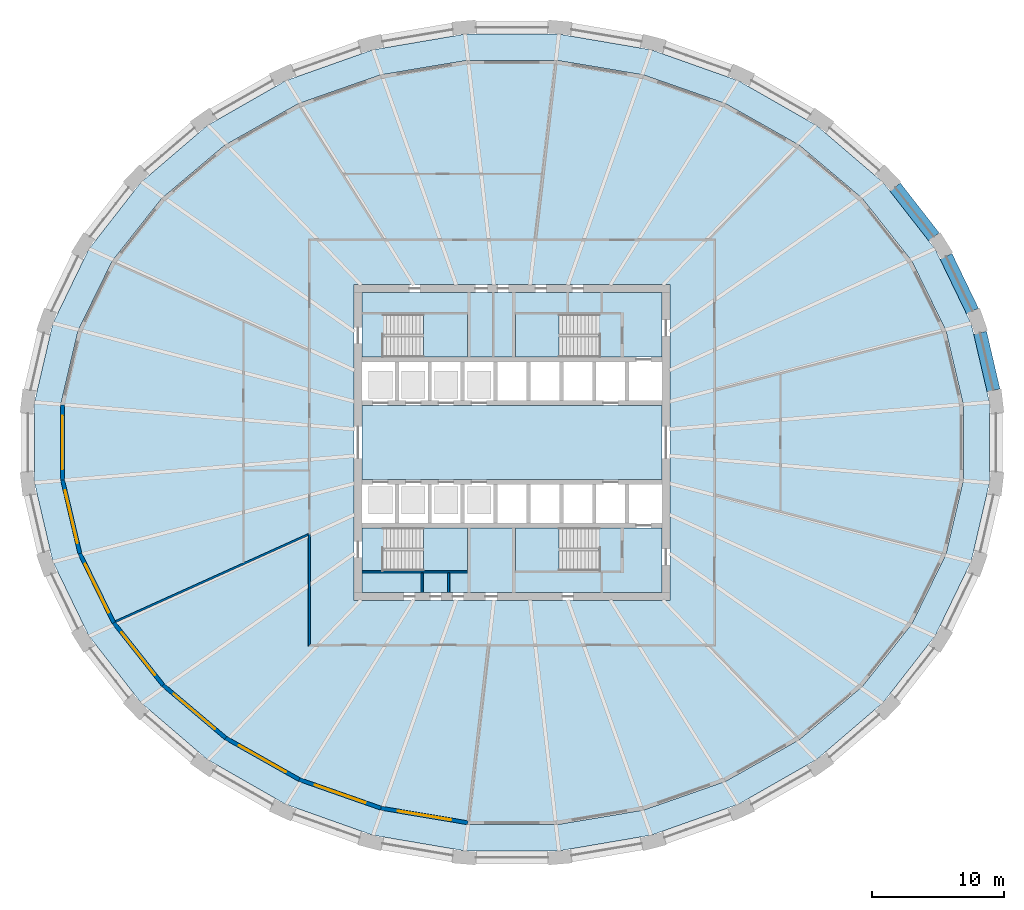
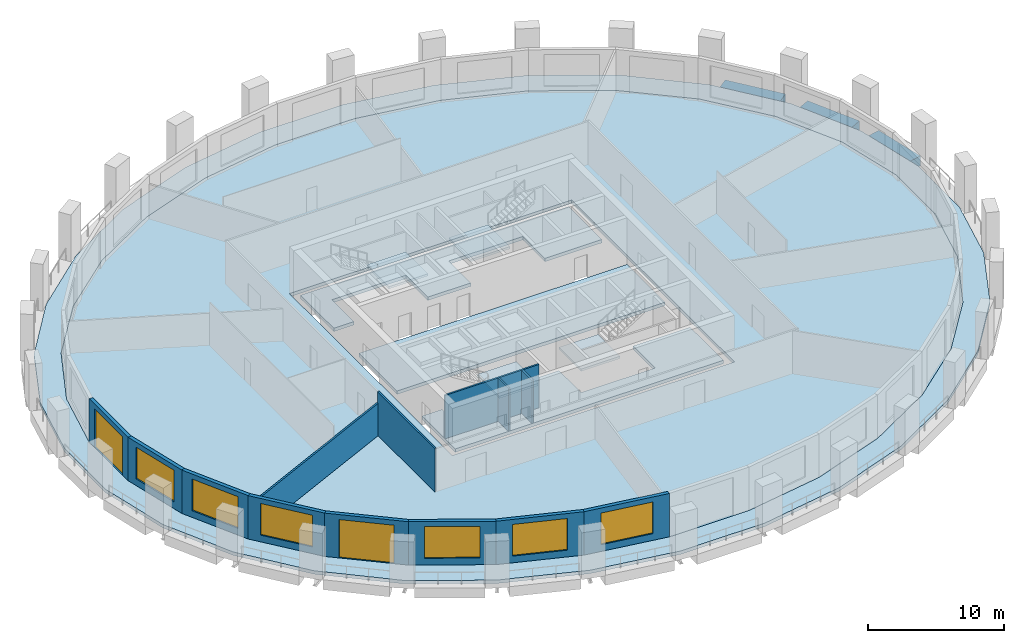
# One storey, part 2 of 10: 13 walls, 9 slabs, 6 windows, 3 beams, 2 doors, 8 openings, 4 elements without a shape of their own.
"""IFC4 building model written with IfcOpenShell, lengths in metres."""

from ifc_helpers import new_model, si_unit, direction, frame, frame_2d, origin, origin_2d, place, context, subcontext, project, spatial, polyline, rectangle, outline, extrude, material, layer, layer_set, material_profile, profile_set, type_object, element, fill, aggregate, save


model = new_model("IFC4")

# Units and contexts
model_context = context("Model", 3, precision=1e-05, world=origin(), true_north=direction((0.0, 1.0)))
body_context = subcontext(model_context, "Body", "Model", "MODEL_VIEW")
ifc_project = project(units=[si_unit("LENGTHUNIT", "METRE"), si_unit("AREAUNIT", "SQUARE_METRE"), si_unit("VOLUMEUNIT", "CUBIC_METRE"), si_unit("PLANEANGLEUNIT", "RADIAN"), si_unit("MASSUNIT", "GRAM", prefix="KILO")], contexts=[model_context])

# Site, building, storey
site_placement = place(None, origin())
site = spatial("IfcSite", under=ifc_project, at=site_placement, CompositionType="ELEMENT")
building_placement = place(site_placement, origin())
building = spatial("IfcBuilding", under=site, at=building_placement, Name="Halqa Exchange Tower", CompositionType="ELEMENT")
storey_placement = place(building_placement, frame((0.0, 0.0, 61.300048828125)))
storey = spatial("IfcBuildingStorey", under=building, at=storey_placement, Name="L13", CompositionType="ELEMENT", Elevation=61.300048828125)

# Beams
ifc_material_1 = material(Name="Concrete C60/75", Category="concrete")
ifc_material_profile = material_profile(ifc_material_1, rectangle(XDim=1.0, YDim=0.89990234375, at=origin_2d()), Name="1000 x 900")
ifc_profile_set = profile_set([ifc_material_profile], Name="Concrete C60/75")
beam_type = type_object("IfcBeamType", Name="RC spandrel beam 1000 x 900 C60/75", PredefinedType="SPANDREL", material=ifc_profile_set)
beam_1_placement = place(storey_placement, frame((36.59716796875, 3.9619140625, -0.449951171875), z_axis=(-0.226068102396, 0.974111499305, 0.0), x_axis=(-0.974111499305, -0.226068102396, 0.0)))
element("IfcBeam", 1, at=beam_1_placement, inside=storey, type_object=beam_type, Name="Spandrel 1", PredefinedType="SPANDREL", context=body_context, shape_type="SweptSolid", body=[
    extrude(rectangle(XDim=1.0, YDim=0.89990234375, at=origin_2d()), origin(), (0.0, 0.0, 1.0), 4.4990234375),
])
beam_2_placement = place(storey_placement, frame((35.0, 9.9892578125, -0.449951171875), z_axis=(-0.435081553548, 0.900391049357, 0.0), x_axis=(-0.900391049357, -0.435081553548, 0.0)))
element("IfcBeam", 2, at=beam_2_placement, inside=storey, type_object=beam_type, Name="Spandrel 2", PredefinedType="SPANDREL", context=body_context, shape_type="SweptSolid", body=[
    extrude(rectangle(XDim=1.0, YDim=0.89990234375, at=origin_2d()), origin(), (0.0, 0.0, 1.0), 4.619873046875),
])
beam_3_placement = place(storey_placement, frame((32.06884765625, 15.630859375, -0.449951171875), z_axis=(-0.614821046905, 0.788666647122, 0.0), x_axis=(-0.788666647122, -0.614821046905, 0.0)))
element("IfcBeam", 3, at=beam_3_placement, inside=storey, type_object=beam_type, Name="Spandrel 3", PredefinedType="SPANDREL", context=body_context, shape_type="SweptSolid", body=[
    extrude(rectangle(XDim=1.0, YDim=0.89990234375, at=origin_2d()), origin(), (0.0, 0.0, 1.0), 4.79736328125),
])

# Slabs
ifc_layer_1 = layer(ifc_material_1, 0.300048828125)
ifc_layer_set_1 = layer_set([ifc_layer_1], Name="Concrete C60/75")
slab_type_1 = type_object("IfcSlabType", Name="Core floor slab 300", PredefinedType="FLOOR", material=ifc_layer_set_1)
slab_1_placement = place(storey_placement, frame((0.0, 0.0, -0.300048828125)))
element("IfcSlab", 4, at=slab_1_placement, inside=storey, type_object=slab_type_1, Name="Core floor slab", PredefinedType="FLOOR", context=body_context, shape_type="SweptSolid", body=[
    extrude(outline(polyline([(-11.39990234375, 2.800048828125), (11.39990234375, 2.800048828125), (11.39990234375, -2.800048828125), (-11.39990234375, -2.800048828125), (-11.39990234375, 2.800048828125)])), origin(), (0.0, 0.0, 1.0), 0.300048828125),
])
slab_2_placement = place(storey_placement, frame((0.0, 0.0, -0.300048828125)))
element("IfcSlab", 5, at=slab_2_placement, inside=storey, type_object=slab_type_1, Name="Core floor slab", PredefinedType="FLOOR", context=body_context, shape_type="SweptSolid", body=[
    extrude(outline(polyline([(-11.39990234375, 11.39990234375), (11.39990234375, 11.39990234375), (11.39990234375, 6.5), (6.550048828125, 6.5), (6.550048828125, 9.75), (0.25, 9.75), (0.25, 6.5), (-3.39990234375, 6.5), (-3.39990234375, 9.75), (-9.699951171875, 9.75), (-9.699951171875, 6.5), (-11.39990234375, 6.5), (-11.39990234375, 11.39990234375)])), origin(), (0.0, 0.0, 1.0), 0.300048828125),
])
slab_3_placement = place(storey_placement, frame((0.0, 0.0, -0.300048828125)))
element("IfcSlab", 6, at=slab_3_placement, inside=storey, type_object=slab_type_1, Name="Core floor slab", PredefinedType="FLOOR", context=body_context, shape_type="SweptSolid", body=[
    extrude(outline(polyline([(-9.699951171875, -9.75), (-3.39990234375, -9.75), (-3.39990234375, -6.5), (0.25, -6.5), (0.25, -9.75), (6.550048828125, -9.75), (6.550048828125, -6.5), (11.39990234375, -6.5), (11.39990234375, -11.39990234375), (-11.39990234375, -11.39990234375), (-11.39990234375, -6.5), (-9.699951171875, -6.5), (-9.699951171875, -9.75)])), origin(), (0.0, 0.0, 1.0), 0.300048828125),
])
ifc_material_2 = material(Name="Concrete C40/50", Category="concrete")
ifc_layer_2 = layer(ifc_material_2, 0.300048828125)
ifc_layer_set_2 = layer_set([ifc_layer_2], Name="Concrete C40/50")
slab_type_2 = type_object("IfcSlabType", Name="RC floor slab 300", PredefinedType="FLOOR", material=ifc_layer_set_2)
slab_4_placement = place(storey_placement, frame((0.0, 0.0, -0.300048828125)))
element("IfcSlab", 7, at=slab_4_placement, inside=storey, type_object=slab_type_2, Name="Floor slab", PredefinedType="FLOOR", context=body_context, shape_type="SweptSolid", body=[
    extrude(outline(polyline([(34.30908203125, 2.86669921875), (32.986572265625, 8.48828125), (30.393798828125, 13.7802734375), (26.63330078125, 18.538330078125), (21.851806640625, 22.580810546875), (16.233642578125, 25.75439453125), (9.9951171875, 27.939208984375), (3.374755859375, 29.052490234375), (-3.374755859375, 29.052490234375), (-9.9951171875, 27.939208984375), (-16.233642578125, 25.75439453125), (-21.851806640625, 22.580810546875), (-26.63330078125, 18.538330078125), (-30.393798828125, 13.7802734375), (-32.986572265625, 8.48828125), (-34.30908203125, 2.86669921875), (-34.30908203125, -2.86669921875), (-32.986572265625, -8.48828125), (-30.393798828125, -13.7802734375), (-26.63330078125, -18.538330078125), (-21.851806640625, -22.580810546875), (-16.233642578125, -25.75439453125), (-9.9951171875, -27.939208984375), (-3.374755859375, -29.052490234375), (3.374755859375, -29.052490234375), (9.9951171875, -27.939208984375), (16.233642578125, -25.75439453125), (21.851806640625, -22.580810546875), (26.63330078125, -18.538330078125), (30.393798828125, -13.7802734375), (32.986572265625, -8.48828125), (34.30908203125, -2.86669921875), (34.30908203125, 2.86669921875)]), holes=[polyline([(-12.0, -12.0), (12.0, -12.0), (12.0, 12.0), (-12.0, 12.0), (-12.0, -12.0)])]), origin(), (0.0, 0.0, 1.0), 0.300048828125),
])
ifc_layer_3 = layer(ifc_material_2, 0.300048828125)
ifc_layer_set_3 = layer_set([ifc_layer_3], Name="Concrete C40/50")
slab_type_3 = type_object("IfcSlabType", Name="RC loggia slab 300", PredefinedType="FLOOR", material=ifc_layer_set_3)
slab_5_placement = place(storey_placement, frame((0.0, 0.0, -0.300048828125)))
element("IfcSlab", 8, at=slab_5_placement, inside=storey, type_object=slab_type_3, Name="Loggia slab", PredefinedType="FLOOR", context=body_context, shape_type="SweptSolid", body=[
    extrude(outline(polyline([(36.295654296875, 3.049072265625), (36.295654296875, -3.049072265625), (34.906982421875, -9.0322265625), (32.180908203125, -14.674072265625), (28.217529296875, -19.758056640625), (23.16650390625, -24.087646484375), (17.2197265625, -27.493408203125), (10.606201171875, -29.841552734375), (3.581787109375, -31.0390625), (-3.581787109375, -31.0390625), (-10.606201171875, -29.841552734375), (-17.2197265625, -27.493408203125), (-23.16650390625, -24.087646484375), (-28.217529296875, -19.758056640625), (-32.180908203125, -14.674072265625), (-34.906982421875, -9.0322265625), (-36.295654296875, -3.049072265625), (-36.295654296875, 3.049072265625), (-34.906982421875, 9.0322265625), (-32.180908203125, 14.674072265625), (-28.217529296875, 19.758056640625), (-23.16650390625, 24.087646484375), (-17.2197265625, 27.493408203125), (-10.606201171875, 29.841552734375), (-3.581787109375, 31.0390625), (3.581787109375, 31.0390625), (10.606201171875, 29.841552734375), (17.2197265625, 27.493408203125), (23.16650390625, 24.087646484375), (28.217529296875, 19.758056640625), (32.180908203125, 14.674072265625), (34.906982421875, 9.0322265625), (36.295654296875, 3.049072265625)]), holes=[polyline([(34.30908203125, 2.86669921875), (32.986572265625, 8.48828125), (30.393798828125, 13.7802734375), (26.63330078125, 18.538330078125), (21.851806640625, 22.580810546875), (16.233642578125, 25.75439453125), (9.9951171875, 27.939208984375), (3.374755859375, 29.052490234375), (-3.374755859375, 29.052490234375), (-9.9951171875, 27.939208984375), (-16.233642578125, 25.75439453125), (-21.851806640625, 22.580810546875), (-26.63330078125, 18.538330078125), (-30.393798828125, 13.7802734375), (-32.986572265625, 8.48828125), (-34.30908203125, 2.86669921875), (-34.30908203125, -2.86669921875), (-32.986572265625, -8.48828125), (-30.393798828125, -13.7802734375), (-26.63330078125, -18.538330078125), (-21.851806640625, -22.580810546875), (-16.233642578125, -25.75439453125), (-9.9951171875, -27.939208984375), (-3.374755859375, -29.052490234375), (3.374755859375, -29.052490234375), (9.9951171875, -27.939208984375), (16.233642578125, -25.75439453125), (21.851806640625, -22.580810546875), (26.63330078125, -18.538330078125), (30.393798828125, -13.7802734375), (32.986572265625, -8.48828125), (34.30908203125, -2.86669921875), (34.30908203125, 2.86669921875)])]), origin(), (0.0, 0.0, 1.0), 0.300048828125),
])

# Stair, slab
ifc_material_3 = material(Name="Concrete C30/37", Category="concrete")
stair_type = type_object("IfcStairType", Name="Exit stair 1500 wide", PredefinedType="HALF_TURN_STAIR", material=ifc_material_3)
stair_1_placement = place(storey_placement, origin())
stair_1 = element("IfcStair", 9, at=stair_1_placement, inside=storey, type_object=stair_type, Name="Exit stair ST1", PredefinedType="HALF_TURN_STAIR")
ifc_layer_4 = layer(ifc_material_3, 0.199951171875)
ifc_layer_set_4 = layer_set([ifc_layer_4], Name="Concrete C30/37")
slab_type_4 = type_object("IfcSlabType", Name="Stair landing 200 slab", PredefinedType="LANDING", material=ifc_layer_set_4)
slab_6_placement = place(storey_placement, frame((0.0, 0.0, 1.89990234375)))
slab_6 = element("IfcSlab", 10, at=slab_6_placement, type_object=slab_type_4, Name="ST1 landing 1", PredefinedType="LANDING", context=body_context, shape_type="SweptSolid", body=[
    extrude(outline(polyline([(-6.719970703125, 6.5), (-3.39990234375, 6.5), (-3.39990234375, 9.75), (-6.719970703125, 9.75), (-6.719970703125, 6.5)])), origin(), (0.0, 0.0, 1.0), 0.199951171875),
])
aggregate(stair_1, [slab_6])

stair_2_placement = place(storey_placement, origin())
stair_2 = element("IfcStair", 11, at=stair_2_placement, inside=storey, type_object=stair_type, Name="Exit stair ST2", PredefinedType="HALF_TURN_STAIR")
slab_7_placement = place(storey_placement, frame((0.0, 0.0, 1.89990234375)))
slab_7 = element("IfcSlab", 12, at=slab_7_placement, type_object=slab_type_4, Name="ST2 landing 1", PredefinedType="LANDING", context=body_context, shape_type="SweptSolid", body=[
    extrude(outline(polyline([(0.25, 6.5), (3.570068359375, 6.5), (3.570068359375, 9.75), (0.25, 9.75), (0.25, 6.5)])), origin(), (0.0, 0.0, 1.0), 0.199951171875),
])
aggregate(stair_2, [slab_7])

stair_3_placement = place(storey_placement, origin())
stair_3 = element("IfcStair", 13, at=stair_3_placement, inside=storey, type_object=stair_type, Name="Exit stair ST3", PredefinedType="HALF_TURN_STAIR")
slab_8_placement = place(storey_placement, frame((0.0, 0.0, 1.89990234375)))
slab_8 = element("IfcSlab", 14, at=slab_8_placement, type_object=slab_type_4, Name="ST3 landing 1", PredefinedType="LANDING", context=body_context, shape_type="SweptSolid", body=[
    extrude(outline(polyline([(-6.719970703125, -9.75), (-3.39990234375, -9.75), (-3.39990234375, -6.5), (-6.719970703125, -6.5), (-6.719970703125, -9.75)])), origin(), (0.0, 0.0, 1.0), 0.199951171875),
])
aggregate(stair_3, [slab_8])

stair_4_placement = place(storey_placement, origin())
stair_4 = element("IfcStair", 15, at=stair_4_placement, inside=storey, type_object=stair_type, Name="Exit stair ST4", PredefinedType="HALF_TURN_STAIR")
slab_9_placement = place(storey_placement, frame((0.0, 0.0, 1.89990234375)))
slab_9 = element("IfcSlab", 16, at=slab_9_placement, type_object=slab_type_4, Name="ST4 landing 1", PredefinedType="LANDING", context=body_context, shape_type="SweptSolid", body=[
    extrude(outline(polyline([(0.25, -9.75), (3.570068359375, -9.75), (3.570068359375, -6.5), (0.25, -6.5), (0.25, -9.75)])), origin(), (0.0, 0.0, 1.0), 0.199951171875),
])
aggregate(stair_4, [slab_9])

# Walls
ifc_material_4 = material(Name="Fire-rated gypsum board")
ifc_layer_5 = layer(ifc_material_4, 0.14990234375)
ifc_layer_set_5 = layer_set([ifc_layer_5], Name="Fire-rated gypsum board")
wall_type_1 = type_object("IfcWallType", Name="Fire partition EI 60 150", PredefinedType="PARTITIONING", material=ifc_layer_set_5)
wall_1_placement = place(storey_placement, frame((-30.14111328125, -13.61865234375, 0.0), z_axis=(0.0, 0.0, 1.0), x_axis=(0.911338205206, 0.411658445476, 0.0)))
element("IfcWall", 17, at=wall_1_placement, inside=storey, type_object=wall_type_1, Name="L13-PWL-001", PredefinedType="PARTITIONING", context=body_context, shape_type="SweptSolid", body=[
    extrude(outline(polyline([(0.020263671875, -0.074951171875), (1.802490234375, -0.074951171875), (3.58447265625, -0.074951171875), (5.366455078125, -0.074951171875), (7.148681640625, -0.074951171875), (8.9306640625, -0.074951171875), (10.712890625, -0.074951171875), (12.494873046875, -0.074951171875), (14.277099609375, -0.074951171875), (16.05908203125, -0.074951171875), (16.10693359375, 0.03076171875), (16.1103515625, 0.029296875), (16.1103515625, 0.029296875), (16.12060546875, 0.024658203125), (16.142578125, 0.073486328125), (16.142578125, 0.074951171875), (14.354248046875, 0.074951171875), (12.56591796875, 0.074951171875), (10.777587890625, 0.074951171875), (10.777099609375, 0.07373046875), (10.7744140625, 0.074951171875), (8.978515625, 0.074951171875), (7.182861328125, 0.074951171875), (5.38720703125, 0.074951171875), (3.591552734375, 0.074951171875), (1.795654296875, 0.074951171875), (0.0, 0.074951171875), (0.0, 0.06396484375), (0.001953125, -0.001953125), (0.020263671875, -0.074951171875)])), origin(), (0.0, 0.0, 1.0), 2.909912109375),
])
wall_2_placement = place(storey_placement, frame((-15.39990234375, -15.47509765625, 0.0), z_axis=(0.0, 0.0, 1.0), x_axis=(0.0, 1.0, 0.0)))
element("IfcWall", 18, at=wall_2_placement, inside=storey, type_object=wall_type_1, Name="L13-PWL-006", PredefinedType="PARTITIONING", context=body_context, shape_type="SweptSolid", body=[
    extrude(outline(polyline([(8.51513671875, 0.074951171875), (6.812255859375, 0.074951171875), (5.109130859375, 0.074951171875), (3.40625, 0.074951171875), (1.703125, 0.074951171875), (0.000244140625, 0.074951171875), (0.150146484375, -0.074951171875), (1.8232421875, -0.074951171875), (3.49609375, -0.074951171875), (5.169189453125, -0.074951171875), (6.842041015625, -0.074951171875), (8.51513671875, -0.074951171875), (8.51513671875, 0.074951171875)])), origin(), (0.0, 0.0, 1.0), 3.89990234375),
])
ifc_material_5 = material(Name="Gypsum board")
ifc_layer_6 = layer(ifc_material_5, 0.14990234375)
ifc_layer_set_6 = layer_set([ifc_layer_6], Name="Gypsum board")
wall_type_2 = type_object("IfcWallType", Name="Penthouse riser wall 150 gypsum", PredefinedType="PARTITIONING", material=ifc_layer_set_6)
for number, where, z_axis, x_axis, name in (
    (19, (-6.824951171875, -11.39990234375, 0.0), (0.0, 0.0, 1.0), (0.0, 1.0, 0.0), "Partition W6.825 S"),
    (20, (-4.824951171875, -11.39990234375, 0.0), (0.0, 0.0, 1.0), (0.0, 1.0, 0.0), "Partition W4.825 S"),
):
    element("IfcWall", number, at=place(storey_placement, frame(where, z_axis=z_axis, x_axis=x_axis)), inside=storey, type_object=wall_type_2, Name=name, PredefinedType="PARTITIONING", context=body_context, shape_type="SweptSolid", body=[
        extrude(rectangle(XDim=1.5, YDim=0.14990234375, at=frame_2d((0.75, 0.0))), origin(), (0.0, 0.0, 1.0), 3.89990234375),
    ])
ifc_layer_7 = layer(ifc_material_3, 0.14990234375)
ifc_layer_set_7 = layer_set([ifc_layer_7], Name="Concrete C30/37")
wall_type_3 = type_object("IfcWallType", Name="RC stair wall 150 C30/37", PredefinedType="SHEAR", material=ifc_layer_set_7)
wall_3_placement = place(storey_placement, frame((-11.39990234375, -9.824951171875, 0.0), z_axis=(0.0, 0.0, 1.0), x_axis=(1.0, 0.0, 0.0)))
element("IfcWall", 21, at=wall_3_placement, inside=storey, type_object=wall_type_3, Name="Stair ST1 north wall S", PredefinedType="SHEAR", context=body_context, shape_type="SweptSolid", body=[
    extrude(rectangle(XDim=8.0, YDim=0.14990234375, at=frame_2d((4.0, 0.0))), origin(), (0.0, 0.0, 1.0), 3.89990234375),
])

# Wall, opening, door
ifc_material_6 = material(Name="Limestone cladding", Category="masonry")
ifc_layer_8 = layer(ifc_material_6, 0.0400390625)
ifc_material_7 = material(Name="Ventilated cavity")
ifc_layer_9 = layer(ifc_material_7, 0.030029296875, ventilated=True)
ifc_material_8 = material(Name="Mineral wool insulation")
ifc_layer_10 = layer(ifc_material_8, 0.10009765625)
ifc_layer_11 = layer(ifc_material_3, 0.10009765625)
ifc_material_9 = material(Name="Internal plaster")
ifc_layer_12 = layer(ifc_material_9, 0.030029296875)
ifc_layer_set_8 = layer_set([ifc_layer_8, ifc_layer_9, ifc_layer_10, ifc_layer_11, ifc_layer_12], Name="Stone-faced insulated wall 300")
wall_type_4 = type_object("IfcWallType", Name="Stone-faced insulated wall 300", PredefinedType="STANDARD", material=ifc_layer_set_8)
wall_4_placement = place(storey_placement, frame((-34.1591796875, 2.849365234375, 0.0), z_axis=(0.0, 0.0, 1.0), x_axis=(0.0, -1.0, 0.0)))
wall_4 = element("IfcWall", 22, at=wall_4_placement, inside=storey, type_object=wall_type_4, Name="Glass-line wall 16", PredefinedType="STANDARD", context=body_context, shape_type="SweptSolid", body=[
    extrude(outline(polyline([(-0.017333984375, -0.14990234375), (5.716064453125, -0.14990234375), (5.681396484375, 0.14990234375), (0.017333984375, 0.14990234375), (-0.017333984375, -0.14990234375)])), origin(), (0.0, 0.0, 1.0), 3.89990234375),
])
opening_1_placement = place(wall_4_placement, frame((0.79931640625, 0.0, 0.0)))
opening_1 = element("IfcOpeningElement", 23, at=opening_1_placement, cuts=wall_4, Name="Opening LG-F1-04", PredefinedType="OPENING", context=body_context, shape_type="SweptSolid", body=[
    extrude(rectangle(XDim=4.10009765625, YDim=3.449951171875, at=frame_2d((2.050048828125, 1.72509765625))), frame((0.0, 0.162109375, 0.0), z_axis=(0.0, -1.0, 0.0), x_axis=(1.0, 0.0, 0.0)), (0.0, 0.0, 1.0), 0.323974609375),
])
ifc_material_10 = material(Name="Clear low-emissivity glass in aluminium frame", Category="aluminium")
door_type = type_object("IfcDoorType", Name="Glazed sliding loggia door 4100 x 3450", OperationType="DOUBLE_DOOR_SLIDING", PredefinedType="DOOR", material=ifc_material_10)
door_1_placement = place(opening_1_placement, origin())
door_1 = element("IfcDoor", 24, at=door_1_placement, inside=storey, type_object=door_type, Name="Loggia door 4", OperationType="DOUBLE_DOOR_SLIDING", OverallHeight=3.449951171875, OverallWidth=4.10009765625, PredefinedType="DOOR", context=body_context, shape_type="SweptSolid", body=[
    extrude(rectangle(XDim=4.10009765625, YDim=3.449951171875, at=frame_2d((2.050048828125, 1.72509765625))), frame((0.0, 0.02490234375, 0.0), z_axis=(0.0, -1.0, 0.0), x_axis=(1.0, 0.0, 0.0)), (0.0, 0.0, 1.0), 0.050048828125),
])
fill(opening_1, door_1)

# Wall, opening, window
wall_5_placement = place(storey_placement, frame((-34.1591796875, -2.849365234375, 0.0), z_axis=(0.0, 0.0, 1.0), x_axis=(0.22905355604, -0.973413821797, 0.0)))
wall_5 = element("IfcWall", 25, at=wall_5_placement, inside=storey, type_object=wall_type_4, Name="Glass-line wall 17", PredefinedType="STANDARD", context=body_context, shape_type="SweptSolid", body=[
    extrude(outline(polyline([(-0.017333984375, -0.14990234375), (5.757568359375, -0.14990234375), (5.723876953125, 0.14990234375), (0.017333984375, 0.14990234375), (-0.017333984375, -0.14990234375)])), origin(), (0.0, 0.0, 1.0), 3.89990234375),
])
opening_2_placement = place(wall_5_placement, frame((0.8203125, 0.0, 0.60009765625)))
opening_2 = element("IfcOpeningElement", 26, at=opening_2_placement, cuts=wall_5, Name="Opening W-F1-17", PredefinedType="OPENING", context=body_context, shape_type="SweptSolid", body=[
    extrude(rectangle(XDim=4.10009765625, YDim=2.85009765625, at=frame_2d((2.050048828125, 1.425048828125))), frame((0.0, 0.162109375, 0.0), z_axis=(0.0, -1.0, 0.0), x_axis=(1.0, 0.0, 0.0)), (0.0, 0.0, 1.0), 0.323974609375),
])
window_type = type_object("IfcWindowType", Name="Fixed clear glazed window 4100 x 2850", PartitioningType="TRIPLE_PANEL_VERTICAL", PredefinedType="WINDOW", material=ifc_material_10)
window_1_placement = place(opening_2_placement, origin())
window_1 = element("IfcWindow", 27, at=window_1_placement, inside=storey, type_object=window_type, Name="Window 1", OverallHeight=2.85009765625, OverallWidth=4.10009765625, PartitioningType="TRIPLE_PANEL_VERTICAL", PredefinedType="WINDOW", context=body_context, shape_type="SweptSolid", body=[
    extrude(rectangle(XDim=4.10009765625, YDim=2.85009765625, at=frame_2d((2.050048828125, 1.425048828125))), frame((0.0, 0.030029296875, 0.0), z_axis=(0.0, -1.0, 0.0), x_axis=(1.0, 0.0, 0.0)), (0.0, 0.0, 1.0), 0.06005859375),
])
fill(opening_2, window_1)

wall_6_placement = place(storey_placement, frame((-32.84423828125, -8.4375, 0.0), z_axis=(0.0, 0.0, 1.0), x_axis=(0.439949735177, -0.898022399786, 0.0)))
wall_6 = element("IfcWall", 28, at=wall_6_placement, inside=storey, type_object=wall_type_4, Name="Glass-line wall 18", PredefinedType="STANDARD", context=body_context, shape_type="SweptSolid", body=[
    extrude(outline(polyline([(-0.016845703125, -0.14990234375), (5.876220703125, -0.14990234375), (5.843994140625, 0.14990234375), (0.016845703125, 0.14990234375), (-0.016845703125, -0.14990234375)])), origin(), (0.0, 0.0, 1.0), 3.89990234375),
])
opening_3_placement = place(wall_6_placement, frame((0.8798828125, 0.0, 0.60009765625)))
opening_3 = element("IfcOpeningElement", 29, at=opening_3_placement, cuts=wall_6, Name="Opening W-F1-18", PredefinedType="OPENING", context=body_context, shape_type="SweptSolid", body=[
    extrude(rectangle(XDim=4.10009765625, YDim=2.85009765625, at=frame_2d((2.050048828125, 1.425048828125))), frame((0.0, 0.162109375, 0.0), z_axis=(0.0, -1.0, 0.0), x_axis=(1.0, 0.0, 0.0)), (0.0, 0.0, 1.0), 0.323974609375),
])
window_2_placement = place(opening_3_placement, origin())
window_2 = element("IfcWindow", 30, at=window_2_placement, inside=storey, type_object=window_type, Name="Window 1", OverallHeight=2.85009765625, OverallWidth=4.10009765625, PartitioningType="TRIPLE_PANEL_VERTICAL", PredefinedType="WINDOW", context=body_context, shape_type="SweptSolid", body=[
    extrude(rectangle(XDim=4.10009765625, YDim=2.85009765625, at=frame_2d((2.050048828125, 1.425048828125))), frame((0.0, 0.030029296875, 0.0), z_axis=(0.0, -1.0, 0.0), x_axis=(1.0, 0.0, 0.0)), (0.0, 0.0, 1.0), 0.06005859375),
])
fill(opening_3, window_2)

wall_7_placement = place(storey_placement, frame((-30.26611328125, -13.699951171875, 0.0), z_axis=(0.0, 0.0, 1.0), x_axis=(0.620065339223, -0.784550173727, 0.0)))
wall_7 = element("IfcWall", 31, at=wall_7_placement, inside=storey, type_object=wall_type_4, Name="Glass-line wall 19", PredefinedType="STANDARD", context=body_context, shape_type="SweptSolid", body=[
    extrude(outline(polyline([(-0.01611328125, -0.14990234375), (6.048828125, -0.14990234375), (6.0185546875, 0.14990234375), (0.01611328125, 0.14990234375), (-0.01611328125, -0.14990234375)])), origin(), (0.0, 0.0, 1.0), 3.89990234375),
])
opening_4_placement = place(wall_7_placement, frame((0.966796875, 0.0, 0.60009765625)))
opening_4 = element("IfcOpeningElement", 32, at=opening_4_placement, cuts=wall_7, Name="Opening W-F1-19", PredefinedType="OPENING", context=body_context, shape_type="SweptSolid", body=[
    extrude(rectangle(XDim=4.10009765625, YDim=2.85009765625, at=frame_2d((2.050048828125, 1.425048828125))), frame((0.0, 0.162109375, 0.0), z_axis=(0.0, -1.0, 0.0), x_axis=(1.0, 0.0, 0.0)), (0.0, 0.0, 1.0), 0.323974609375),
])
window_3_placement = place(opening_4_placement, origin())
window_3 = element("IfcWindow", 33, at=window_3_placement, inside=storey, type_object=window_type, Name="Window 1", OverallHeight=2.85009765625, OverallWidth=4.10009765625, PartitioningType="TRIPLE_PANEL_VERTICAL", PredefinedType="WINDOW", context=body_context, shape_type="SweptSolid", body=[
    extrude(rectangle(XDim=4.10009765625, YDim=2.85009765625, at=frame_2d((2.050048828125, 1.425048828125))), frame((0.0, 0.030029296875, 0.0), z_axis=(0.0, -1.0, 0.0), x_axis=(1.0, 0.0, 0.0)), (0.0, 0.0, 1.0), 0.06005859375),
])
fill(opening_4, window_3)

# Wall, opening, door
wall_8_placement = place(storey_placement, frame((-26.52490234375, -18.43359375, 0.0), z_axis=(0.0, 0.0, 1.0), x_axis=(0.763655167989, -0.645624336905, 0.0)))
wall_8 = element("IfcWall", 34, at=wall_8_placement, inside=storey, type_object=wall_type_4, Name="Glass-line wall 20", PredefinedType="STANDARD", context=body_context, shape_type="SweptSolid", body=[
    extrude(outline(polyline([(-0.01513671875, -0.14990234375), (6.246337890625, -0.14990234375), (6.218017578125, 0.14990234375), (0.01513671875, 0.14990234375), (-0.01513671875, -0.14990234375)])), origin(), (0.0, 0.0, 1.0), 3.89990234375),
])
opening_5_placement = place(wall_8_placement, frame((1.066162109375, 0.0, 0.0)))
opening_5 = element("IfcOpeningElement", 35, at=opening_5_placement, cuts=wall_8, Name="Opening LG-F1-05", PredefinedType="OPENING", context=body_context, shape_type="SweptSolid", body=[
    extrude(rectangle(XDim=4.10009765625, YDim=3.449951171875, at=frame_2d((2.050048828125, 1.72509765625))), frame((0.0, 0.162109375, 0.0), z_axis=(0.0, -1.0, 0.0), x_axis=(1.0, 0.0, 0.0)), (0.0, 0.0, 1.0), 0.323974609375),
])
door_2_placement = place(opening_5_placement, origin())
door_2 = element("IfcDoor", 36, at=door_2_placement, inside=storey, type_object=door_type, Name="Loggia door 5", OperationType="DOUBLE_DOOR_SLIDING", OverallHeight=3.449951171875, OverallWidth=4.10009765625, PredefinedType="DOOR", context=body_context, shape_type="SweptSolid", body=[
    extrude(rectangle(XDim=4.10009765625, YDim=3.449951171875, at=frame_2d((2.050048828125, 1.72509765625))), frame((0.0, 0.02490234375, 0.0), z_axis=(0.0, -1.0, 0.0), x_axis=(1.0, 0.0, 0.0)), (0.0, 0.0, 1.0), 0.050048828125),
])
fill(opening_5, door_2)

# Wall, opening, window
wall_9_placement = place(storey_placement, frame((-21.765625, -22.457275390625, 0.0), z_axis=(0.0, 0.0, 1.0), x_axis=(0.870673928577, -0.491860661262, 0.0)))
wall_9 = element("IfcWall", 37, at=wall_9_placement, inside=storey, type_object=wall_type_4, Name="Glass-line wall 21", PredefinedType="STANDARD", context=body_context, shape_type="SweptSolid", body=[
    extrude(outline(polyline([(-0.01416015625, -0.14990234375), (6.438232421875, -0.14990234375), (6.411376953125, 0.14990234375), (0.01416015625, 0.14990234375), (-0.01416015625, -0.14990234375)])), origin(), (0.0, 0.0, 1.0), 3.89990234375),
])
opening_6_placement = place(wall_9_placement, frame((1.16259765625, 0.0, 0.60009765625)))
opening_6 = element("IfcOpeningElement", 38, at=opening_6_placement, cuts=wall_9, Name="Opening W-F1-21", PredefinedType="OPENING", context=body_context, shape_type="SweptSolid", body=[
    extrude(rectangle(XDim=4.10009765625, YDim=2.85009765625, at=frame_2d((2.050048828125, 1.425048828125))), frame((0.0, 0.162109375, 0.0), z_axis=(0.0, -1.0, 0.0), x_axis=(1.0, 0.0, 0.0)), (0.0, 0.0, 1.0), 0.323974609375),
])
window_4_placement = place(opening_6_placement, origin())
window_4 = element("IfcWindow", 39, at=window_4_placement, inside=storey, type_object=window_type, Name="Window 1", OverallHeight=2.85009765625, OverallWidth=4.10009765625, PartitioningType="TRIPLE_PANEL_VERTICAL", PredefinedType="WINDOW", context=body_context, shape_type="SweptSolid", body=[
    extrude(rectangle(XDim=4.10009765625, YDim=2.85009765625, at=frame_2d((2.050048828125, 1.425048828125))), frame((0.0, 0.030029296875, 0.0), z_axis=(0.0, -1.0, 0.0), x_axis=(1.0, 0.0, 0.0)), (0.0, 0.0, 1.0), 0.06005859375),
])
fill(opening_6, window_4)

wall_10_placement = place(storey_placement, frame((-16.171630859375, -25.617431640625, 0.0), z_axis=(0.0, 0.0, 1.0), x_axis=(0.94380689486, -0.330497420889, 0.0)))
wall_10 = element("IfcWall", 40, at=wall_10_placement, inside=storey, type_object=wall_type_4, Name="Glass-line wall 22", PredefinedType="STANDARD", context=body_context, shape_type="SweptSolid", body=[
    extrude(outline(polyline([(-0.013427734375, -0.14990234375), (6.5966796875, -0.14990234375), (6.5712890625, 0.14990234375), (0.013427734375, 0.14990234375), (-0.013427734375, -0.14990234375)])), origin(), (0.0, 0.0, 1.0), 3.89990234375),
])
opening_7_placement = place(wall_10_placement, frame((1.241943359375, 0.0, 0.60009765625)))
opening_7 = element("IfcOpeningElement", 41, at=opening_7_placement, cuts=wall_10, Name="Opening W-F1-22", PredefinedType="OPENING", context=body_context, shape_type="SweptSolid", body=[
    extrude(rectangle(XDim=4.10009765625, YDim=2.85009765625, at=frame_2d((2.050048828125, 1.425048828125))), frame((0.0, 0.162109375, 0.0), z_axis=(0.0, -1.0, 0.0), x_axis=(1.0, 0.0, 0.0)), (0.0, 0.0, 1.0), 0.323974609375),
])
window_5_placement = place(opening_7_placement, origin())
window_5 = element("IfcWindow", 42, at=window_5_placement, inside=storey, type_object=window_type, Name="Window 1", OverallHeight=2.85009765625, OverallWidth=4.10009765625, PartitioningType="TRIPLE_PANEL_VERTICAL", PredefinedType="WINDOW", context=body_context, shape_type="SweptSolid", body=[
    extrude(rectangle(XDim=4.10009765625, YDim=2.85009765625, at=frame_2d((2.050048828125, 1.425048828125))), frame((0.0, 0.030029296875, 0.0), z_axis=(0.0, -1.0, 0.0), x_axis=(1.0, 0.0, 0.0)), (0.0, 0.0, 1.0), 0.06005859375),
])
fill(opening_7, window_5)

wall_11_placement = place(storey_placement, frame((-9.95751953125, -27.79345703125, 0.0), z_axis=(0.0, 0.0, 1.0), x_axis=(0.986153133093, -0.165837263877, 0.0)))
wall_11 = element("IfcWall", 43, at=wall_11_placement, inside=storey, type_object=wall_type_4, Name="Glass-line wall 23", PredefinedType="STANDARD", context=body_context, shape_type="SweptSolid", body=[
    extrude(outline(polyline([(-0.0126953125, -0.14990234375), (6.700439453125, -0.14990234375), (6.675537109375, 0.14990234375), (0.0126953125, 0.14990234375), (-0.0126953125, -0.14990234375)])), origin(), (0.0, 0.0, 1.0), 3.89990234375),
])
opening_8_placement = place(wall_11_placement, frame((1.294189453125, 0.0, 0.60009765625)))
opening_8 = element("IfcOpeningElement", 44, at=opening_8_placement, cuts=wall_11, Name="Opening W-F1-23", PredefinedType="OPENING", context=body_context, shape_type="SweptSolid", body=[
    extrude(rectangle(XDim=4.10009765625, YDim=2.85009765625, at=frame_2d((2.050048828125, 1.425048828125))), frame((0.0, 0.162109375, 0.0), z_axis=(0.0, -1.0, 0.0), x_axis=(1.0, 0.0, 0.0)), (0.0, 0.0, 1.0), 0.323974609375),
])
window_6_placement = place(opening_8_placement, origin())
window_6 = element("IfcWindow", 45, at=window_6_placement, inside=storey, type_object=window_type, Name="Window 1", OverallHeight=2.85009765625, OverallWidth=4.10009765625, PartitioningType="TRIPLE_PANEL_VERTICAL", PredefinedType="WINDOW", context=body_context, shape_type="SweptSolid", body=[
    extrude(rectangle(XDim=4.10009765625, YDim=2.85009765625, at=frame_2d((2.050048828125, 1.425048828125))), frame((0.0, 0.030029296875, 0.0), z_axis=(0.0, -1.0, 0.0), x_axis=(1.0, 0.0, 0.0)), (0.0, 0.0, 1.0), 0.06005859375),
])
fill(opening_8, window_6)

save(model, "model.ifc")
